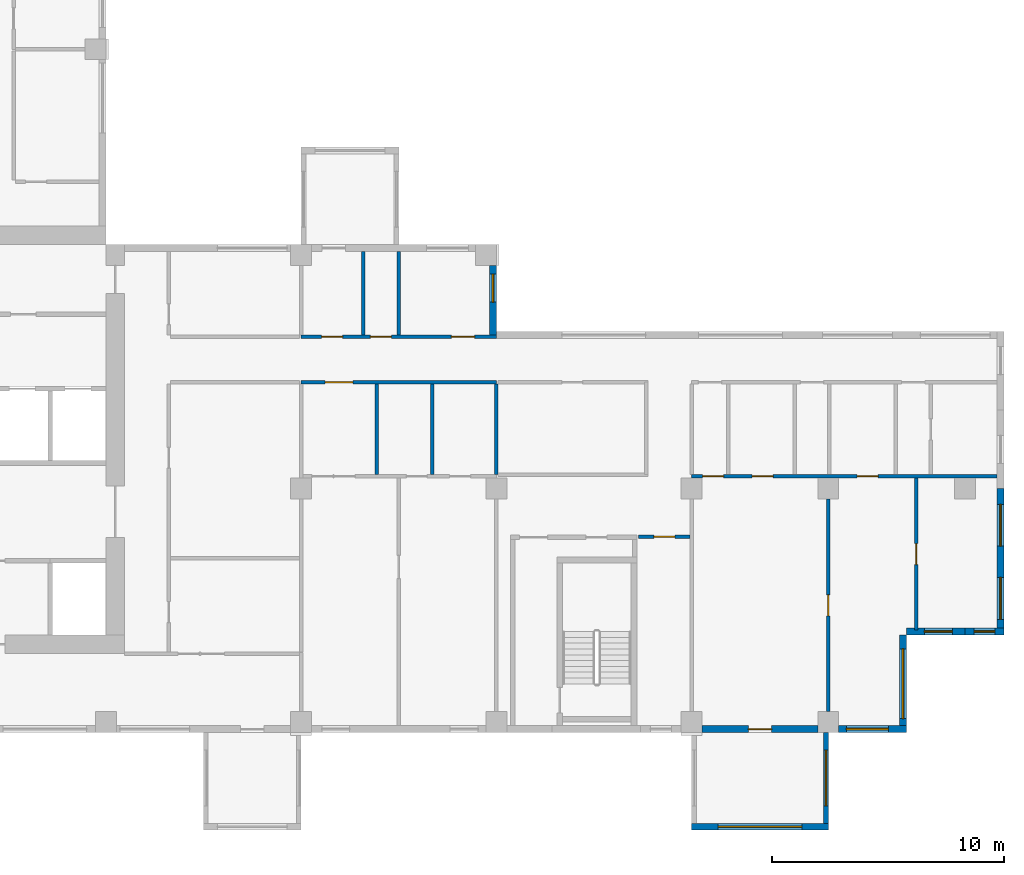
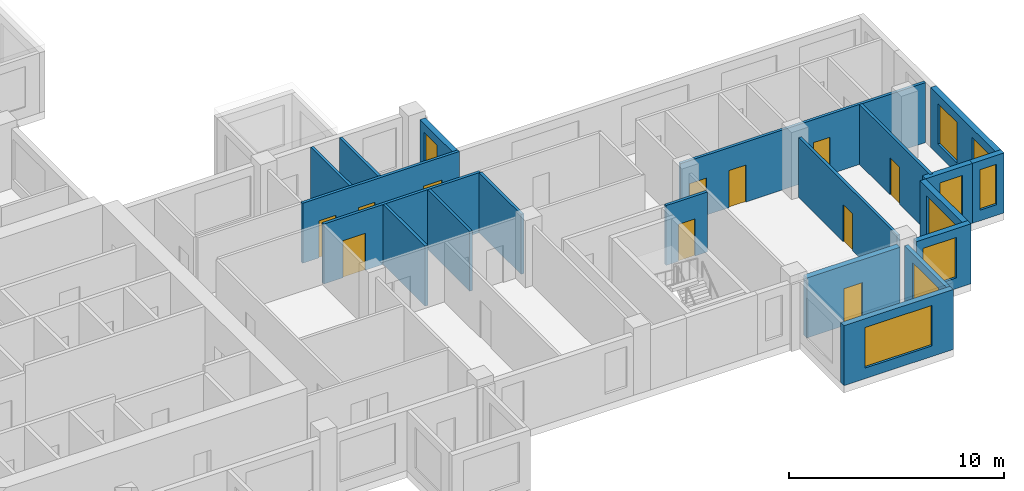
# One storey, part 5 of 12: 20 walls, 11 doors, 9 windows, 20 openings.
"""IFC4 building model written with IfcOpenShell, lengths in metres."""

from ifc_helpers import new_model, si_unit, direction, frame, frame_2d, origin, place, context, subcontext, project, spatial, rectangle, extrude, source, transform, mapped, material, layer, layer_set, type_object, element, fill, save


model = new_model("IFC4")

# Units and contexts
model_context = context("Model", 3, precision=1e-05, world=origin(), true_north=direction((0.0, 1.0)))
body_context = subcontext(model_context, "Body", "Model", "MODEL_VIEW")
ifc_project = project(units=[si_unit("LENGTHUNIT", "METRE"), si_unit("AREAUNIT", "SQUARE_METRE"), si_unit("VOLUMEUNIT", "CUBIC_METRE"), si_unit("PLANEANGLEUNIT", "RADIAN"), si_unit("MASSUNIT", "GRAM", prefix="KILO")], contexts=[model_context])

# Site, building, storey
site_placement = place(None, origin())
site = spatial("IfcSite", under=ifc_project, at=site_placement, CompositionType="ELEMENT")
building_placement = place(site_placement, origin())
building = spatial("IfcBuilding", under=site, at=building_placement, Name="Aurelian Terraces", CompositionType="ELEMENT")
storey_placement = place(building_placement, frame((0.0, 0.0, 181.6)))
storey = spatial("IfcBuildingStorey", under=building, at=storey_placement, Name="L39", CompositionType="ELEMENT", Elevation=181.6)

# Wall, opening, window
ifc_material_1 = material(Name="Concrete fc' 40 MPa", Category="concrete")
ifc_layer_1 = layer(ifc_material_1, 0.3)
ifc_layer_set_1 = layer_set([ifc_layer_1], Name="BOX BEARING WALL 300")
wall_type_1 = type_object("IfcWallType", Name="BOX BEARING WALL 300", PredefinedType="SOLIDWALL", material=ifc_layer_set_1)
wall_1_placement = place(storey_placement, frame((46.2, -4.05, 0.0), z_axis=(0.0, 0.0, 1.0), x_axis=(1.0, 0.0, 0.0)))
wall_1 = element("IfcWall", 1, at=wall_1_placement, inside=storey, type_object=wall_type_1, Name="Box wall L39 J51", PredefinedType="SOLIDWALL", context=body_context, shape_type="SweptSolid", body=[
    extrude(rectangle(XDim=5.88, YDim=0.3, at=frame_2d((2.94, 0.0))), origin(), (0.0, 0.0, 1.0), 3.4),
])
shared_shape_1 = source(origin(), body_context, "Body", "SweptSolid", [
    extrude(rectangle(XDim=3.6, YDim=2.3, at=frame_2d((1.8, 1.15))), frame((0.0, 0.16, 0.0), z_axis=(0.0, -1.0, 0.0), x_axis=(1.0, 0.0, 0.0)), (0.0, 0.0, 1.0), 0.32),
])
opening_1_placement = place(wall_1_placement, frame((1.14, 0.0, 0.6)))
opening_1 = element("IfcOpeningElement", 2, at=opening_1_placement, cuts=wall_1, Name="Opening W3623", PredefinedType="OPENING", context=body_context, shape_type="MappedRepresentation", body=[
    mapped(shared_shape_1, transform((0.0, 0.0, 0.0), scale=1.0)),
])
ifc_material_2 = material(Name="Clear glazing", Category="glass")
window_type_1 = type_object("IfcWindowType", Name="W-3600x2300", PartitioningType="SINGLE_PANEL", PredefinedType="WINDOW", material=ifc_material_2)
shared_shape_2 = source(origin(), body_context, "Body", "SweptSolid", [
    extrude(rectangle(XDim=3.6, YDim=2.3, at=frame_2d((1.8, 1.15))), frame((0.0, 0.03, 0.0), z_axis=(0.0, -1.0, 0.0), x_axis=(1.0, 0.0, 0.0)), (0.0, 0.0, 1.0), 0.06),
])
window_1_placement = place(opening_1_placement, origin())
window_1 = element("IfcWindow", 3, at=window_1_placement, inside=storey, type_object=window_type_1, Name="Window L39 J51-F1", OverallHeight=2.3, OverallWidth=3.6, PartitioningType="SINGLE_PANEL", PredefinedType="WINDOW", context=body_context, shape_type="MappedRepresentation", body=[
    mapped(shared_shape_2, transform((0.0, 0.0, 0.0), scale=1.0)),
])
fill(opening_1, window_1)

ifc_material_3 = material(Name="Terracotta rainscreen cladding", Category="masonry")
ifc_layer_2 = layer(ifc_material_3, 0.3)
ifc_layer_set_2 = layer_set([ifc_layer_2], Name="EW-300")
wall_type_2 = type_object("IfcWallType", Name="EW-300", PredefinedType="STANDARD", material=ifc_layer_set_2)
shared_shape_3 = source(origin(), body_context, "Body", "SweptSolid", [
    extrude(rectangle(XDim=2.91, YDim=0.3, at=frame_2d((1.455, 0.0))), origin(), (0.0, 0.0, 1.0), 3.4),
])
wall_2_placement = place(storey_placement, frame((52.53, 0.15, 0.0), z_axis=(0.0, 0.0, 1.0), x_axis=(1.0, 0.0, 0.0)))
wall_2 = element("IfcWall", 4, at=wall_2_placement, inside=storey, type_object=wall_type_2, Name="External wall L39 F01.7", PredefinedType="STANDARD", context=body_context, shape_type="MappedRepresentation", body=[
    mapped(shared_shape_3, transform((0.0, 0.0, 0.0), scale=1.0)),
])
shared_shape_4 = source(origin(), body_context, "Body", "SweptSolid", [
    extrude(rectangle(XDim=1.8, YDim=2.3, at=frame_2d((0.9, 1.15))), frame((0.0, 0.16, 0.0), z_axis=(0.0, -1.0, 0.0), x_axis=(1.0, 0.0, 0.0)), (0.0, 0.0, 1.0), 0.32),
])
opening_2_placement = place(wall_2_placement, frame((0.33, 0.0, 0.6)))
opening_2 = element("IfcOpeningElement", 5, at=opening_2_placement, cuts=wall_2, Name="Opening W1823", PredefinedType="OPENING", context=body_context, shape_type="MappedRepresentation", body=[
    mapped(shared_shape_4, transform((0.0, 0.0, 0.0), scale=1.0)),
])
window_type_2 = type_object("IfcWindowType", Name="W-1800x2300", PartitioningType="SINGLE_PANEL", PredefinedType="WINDOW", material=ifc_material_2)
shared_shape_5 = source(origin(), body_context, "Body", "SweptSolid", [
    extrude(rectangle(XDim=1.8, YDim=2.3, at=frame_2d((0.9, 1.15))), frame((0.0, 0.03, 0.0), z_axis=(0.0, -1.0, 0.0), x_axis=(1.0, 0.0, 0.0)), (0.0, 0.0, 1.0), 0.06),
])
window_2_placement = place(opening_2_placement, origin())
window_2 = element("IfcWindow", 6, at=window_2_placement, inside=storey, type_object=window_type_2, Name="Window L39 L39-F01-07-0", OverallHeight=2.3, OverallWidth=1.8, PartitioningType="SINGLE_PANEL", PredefinedType="WINDOW", context=body_context, shape_type="MappedRepresentation", body=[
    mapped(shared_shape_5, transform((0.0, 0.0, 0.0), scale=1.0)),
])
fill(opening_2, window_2)

shared_shape_6 = source(origin(), body_context, "Body", "SweptSolid", [
    extrude(rectangle(XDim=4.2, YDim=0.3, at=frame_2d((2.1, 0.0))), origin(), (0.0, 0.0, 1.0), 3.4),
])
wall_3_placement = place(storey_placement, frame((55.29, 0.0, 0.0), z_axis=(0.0, 0.0, 1.0), x_axis=(0.0, 1.0, 0.0)))
wall_3 = element("IfcWall", 7, at=wall_3_placement, inside=storey, type_object=wall_type_2, Name="External wall L39 F02.8", PredefinedType="STANDARD", context=body_context, shape_type="MappedRepresentation", body=[
    mapped(shared_shape_6, transform((0.0, 0.0, 0.0), scale=1.0)),
])
shared_shape_7 = source(origin(), body_context, "Body", "SweptSolid", [
    extrude(rectangle(XDim=3.0, YDim=2.3, at=frame_2d((1.5, 1.15))), frame((0.0, 0.16, 0.0), z_axis=(0.0, -1.0, 0.0), x_axis=(1.0, 0.0, 0.0)), (0.0, 0.0, 1.0), 0.32),
])
opening_3_placement = place(wall_3_placement, frame((0.6, 0.0, 0.6)))
opening_3 = element("IfcOpeningElement", 8, at=opening_3_placement, cuts=wall_3, Name="Opening W3023", PredefinedType="OPENING", context=body_context, shape_type="MappedRepresentation", body=[
    mapped(shared_shape_7, transform((0.0, 0.0, 0.0), scale=1.0)),
])
window_type_3 = type_object("IfcWindowType", Name="W-3000x2300", PartitioningType="SINGLE_PANEL", PredefinedType="WINDOW", material=ifc_material_2)
shared_shape_8 = source(origin(), body_context, "Body", "SweptSolid", [
    extrude(rectangle(XDim=3.0, YDim=2.3, at=frame_2d((1.5, 1.15))), frame((0.0, 0.03, 0.0), z_axis=(0.0, -1.0, 0.0), x_axis=(1.0, 0.0, 0.0)), (0.0, 0.0, 1.0), 0.06),
])
window_3_placement = place(opening_3_placement, origin())
window_3 = element("IfcWindow", 9, at=window_3_placement, inside=storey, type_object=window_type_3, Name="Window L39 L39-F02-08-0", OverallHeight=2.3, OverallWidth=3.0, PartitioningType="SINGLE_PANEL", PredefinedType="WINDOW", context=body_context, shape_type="MappedRepresentation", body=[
    mapped(shared_shape_8, transform((0.0, 0.0, 0.0), scale=1.0)),
])
fill(opening_3, window_3)

shared_shape_9 = source(origin(), body_context, "Body", "SweptSolid", [
    extrude(rectangle(XDim=2.52, YDim=0.3, at=frame_2d((1.26, 0.0))), origin(), (0.0, 0.0, 1.0), 3.4),
])
wall_4_placement = place(storey_placement, frame((55.44, 4.35, 0.0), z_axis=(0.0, 0.0, 1.0), x_axis=(1.0, 0.0, 0.0)))
wall_4 = element("IfcWall", 10, at=wall_4_placement, inside=storey, type_object=wall_type_2, Name="External wall L39 F03.9", PredefinedType="STANDARD", context=body_context, shape_type="MappedRepresentation", body=[
    mapped(shared_shape_9, transform((0.0, 0.0, 0.0), scale=1.0)),
])
shared_shape_10 = source(origin(), body_context, "Body", "SweptSolid", [
    extrude(rectangle(XDim=1.2, YDim=2.3, at=frame_2d((0.6, 1.15))), frame((0.0, 0.16, 0.0), z_axis=(0.0, -1.0, 0.0), x_axis=(1.0, 0.0, 0.0)), (0.0, 0.0, 1.0), 0.32),
])
opening_4_placement = place(wall_4_placement, frame((0.7775, 0.0, 0.6)))
opening_4 = element("IfcOpeningElement", 11, at=opening_4_placement, cuts=wall_4, Name="Opening W1223", PredefinedType="OPENING", context=body_context, shape_type="MappedRepresentation", body=[
    mapped(shared_shape_10, transform((0.0, 0.0, 0.0), scale=1.0)),
])
window_type_4 = type_object("IfcWindowType", Name="W-1200x2300", PartitioningType="SINGLE_PANEL", PredefinedType="WINDOW", material=ifc_material_2)
shared_shape_11 = source(origin(), body_context, "Body", "SweptSolid", [
    extrude(rectangle(XDim=1.2, YDim=2.3, at=frame_2d((0.6, 1.15))), frame((0.0, 0.03, 0.0), z_axis=(0.0, -1.0, 0.0), x_axis=(1.0, 0.0, 0.0)), (0.0, 0.0, 1.0), 0.06),
])
window_4_placement = place(opening_4_placement, origin())
window_4 = element("IfcWindow", 12, at=window_4_placement, inside=storey, type_object=window_type_4, Name="Window L39 L39-F03-09-P0", OverallHeight=2.3, OverallWidth=1.2, PartitioningType="SINGLE_PANEL", PredefinedType="WINDOW", context=body_context, shape_type="MappedRepresentation", body=[
    mapped(shared_shape_11, transform((0.0, 0.0, 0.0), scale=1.0)),
])
fill(opening_4, window_4)

shared_shape_12 = source(origin(), body_context, "Body", "SweptSolid", [
    extrude(rectangle(XDim=1.68, YDim=0.3, at=frame_2d((0.84, 0.0))), origin(), (0.0, 0.0, 1.0), 3.4),
])
wall_5_placement = place(storey_placement, frame((57.96, 4.35, 0.0), z_axis=(0.0, 0.0, 1.0), x_axis=(1.0, 0.0, 0.0)))
wall_5 = element("IfcWall", 13, at=wall_5_placement, inside=storey, type_object=wall_type_2, Name="External wall L39 F03.10", PredefinedType="STANDARD", context=body_context, shape_type="MappedRepresentation", body=[
    mapped(shared_shape_12, transform((0.0, 0.0, 0.0), scale=1.0)),
])
shared_shape_13 = source(origin(), body_context, "Body", "SweptSolid", [
    extrude(rectangle(XDim=0.9, YDim=2.3, at=frame_2d((0.45, 1.15))), frame((0.0, 0.16, 0.0), z_axis=(0.0, -1.0, 0.0), x_axis=(1.0, 0.0, 0.0)), (0.0, 0.0, 1.0), 0.32),
])
opening_5_placement = place(wall_5_placement, frame((0.39, 0.0, 0.6)))
opening_5 = element("IfcOpeningElement", 14, at=opening_5_placement, cuts=wall_5, Name="Opening W0923", PredefinedType="OPENING", context=body_context, shape_type="MappedRepresentation", body=[
    mapped(shared_shape_13, transform((0.0, 0.0, 0.0), scale=1.0)),
])
window_type_5 = type_object("IfcWindowType", Name="W-900x2300", PartitioningType="SINGLE_PANEL", PredefinedType="WINDOW", material=ifc_material_2)
shared_shape_14 = source(origin(), body_context, "Body", "SweptSolid", [
    extrude(rectangle(XDim=0.9, YDim=2.3, at=frame_2d((0.45, 1.15))), frame((0.0, 0.03, 0.0), z_axis=(0.0, -1.0, 0.0), x_axis=(1.0, 0.0, 0.0)), (0.0, 0.0, 1.0), 0.06),
])
window_5_placement = place(opening_5_placement, origin())
window_5 = element("IfcWindow", 15, at=window_5_placement, inside=storey, type_object=window_type_5, Name="Window L39 L39-F03-10-P0", OverallHeight=2.3, OverallWidth=0.9, PartitioningType="SINGLE_PANEL", PredefinedType="WINDOW", context=body_context, shape_type="MappedRepresentation", body=[
    mapped(shared_shape_14, transform((0.0, 0.0, 0.0), scale=1.0)),
])
fill(opening_5, window_5)

ifc_layer_3 = layer(ifc_material_1, 0.2)
ifc_layer_set_3 = layer_set([ifc_layer_3], Name="BOX BEARING WALL 200")
wall_type_3 = type_object("IfcWallType", Name="BOX BEARING WALL 200", PredefinedType="SOLIDWALL", material=ifc_layer_set_3)
shared_shape_15 = source(origin(), body_context, "Body", "SweptSolid", [
    extrude(rectangle(XDim=3.9, YDim=0.2, at=frame_2d((1.95, 0.0))), origin(), (0.0, 0.0, 1.0), 3.4),
])
wall_6_placement = place(storey_placement, frame((51.98, 0.0, 0.0), z_axis=(0.0, 0.0, 1.0), x_axis=(0.0, -1.0, 0.0)))
wall_6 = element("IfcWall", 16, at=wall_6_placement, inside=storey, type_object=wall_type_3, Name="Box return L39 J51.2", PredefinedType="SOLIDWALL", context=body_context, shape_type="MappedRepresentation", body=[
    mapped(shared_shape_15, transform((0.0, 0.0, 0.0), scale=1.0)),
])
shared_shape_16 = source(origin(), body_context, "Body", "SweptSolid", [
    extrude(rectangle(XDim=2.4, YDim=2.3, at=frame_2d((1.2, 1.15))), frame((0.0, 0.11, 0.0), z_axis=(0.0, -1.0, 0.0), x_axis=(1.0, 0.0, 0.0)), (0.0, 0.0, 1.0), 0.22),
])
opening_6_placement = place(wall_6_placement, frame((0.75, 0.0, 0.6)))
opening_6 = element("IfcOpeningElement", 17, at=opening_6_placement, cuts=wall_6, Name="Opening W2423", PredefinedType="OPENING", context=body_context, shape_type="MappedRepresentation", body=[
    mapped(shared_shape_16, transform((0.0, 0.0, 0.0), scale=1.0)),
])
window_type_6 = type_object("IfcWindowType", Name="W-2400x2300", PartitioningType="SINGLE_PANEL", PredefinedType="WINDOW", material=ifc_material_2)
shared_shape_17 = source(origin(), body_context, "Body", "SweptSolid", [
    extrude(rectangle(XDim=2.4, YDim=2.3, at=frame_2d((1.2, 1.15))), frame((0.0, 0.03, 0.0), z_axis=(0.0, -1.0, 0.0), x_axis=(1.0, 0.0, 0.0)), (0.0, 0.0, 1.0), 0.06),
])
window_6_placement = place(opening_6_placement, origin())
window_6 = element("IfcWindow", 18, at=window_6_placement, inside=storey, type_object=window_type_6, Name="Window L39 J51-S2", OverallHeight=2.3, OverallWidth=2.4, PartitioningType="SINGLE_PANEL", PredefinedType="WINDOW", context=body_context, shape_type="MappedRepresentation", body=[
    mapped(shared_shape_17, transform((0.0, 0.0, 0.0), scale=1.0)),
])
fill(opening_6, window_6)

# Wall, opening, door
shared_shape_18 = source(origin(), body_context, "Body", "SweptSolid", [
    extrude(rectangle(XDim=4.98, YDim=0.3, at=frame_2d((2.49, 0.0))), origin(), (0.0, 0.0, 1.0), 3.4),
])
wall_7_placement = place(storey_placement, frame((46.65, 0.15, 0.0), z_axis=(0.0, 0.0, 1.0), x_axis=(1.0, 0.0, 0.0)))
wall_7 = element("IfcWall", 19, at=wall_7_placement, inside=storey, type_object=wall_type_2, Name="External wall L39 F01.6", PredefinedType="STANDARD", context=body_context, shape_type="MappedRepresentation", body=[
    mapped(shared_shape_18, transform((0.0, 0.0, 0.0), scale=1.0)),
])
shared_shape_19 = source(origin(), body_context, "Body", "SweptSolid", [
    extrude(rectangle(XDim=1.0, YDim=2.1, at=frame_2d((0.5, 1.05))), frame((0.0, 0.16, 0.0), z_axis=(0.0, -1.0, 0.0), x_axis=(1.0, 0.0, 0.0)), (0.0, 0.0, 1.0), 0.32),
])
opening_7_placement = place(wall_7_placement, frame((1.99, 0.0, 0.0)))
opening_7 = element("IfcOpeningElement", 20, at=opening_7_placement, cuts=wall_7, Name="Opening 839001", PredefinedType="OPENING", context=body_context, shape_type="MappedRepresentation", body=[
    mapped(shared_shape_19, transform((0.0, 0.0, 0.0), scale=1.0)),
])
ifc_material_4 = material(Name="Timber door leaf", Category="wood")
door_type_1 = type_object("IfcDoorType", Name="Room door 1000x2100 left", OperationType="SINGLE_SWING_LEFT", PredefinedType="DOOR", material=ifc_material_4)
shared_shape_20 = source(origin(), body_context, "Body", "SweptSolid", [
    extrude(rectangle(XDim=1.0, YDim=2.1, at=frame_2d((0.5, 1.05))), frame((0.0, 0.025, 0.0), z_axis=(0.0, -1.0, 0.0), x_axis=(1.0, 0.0, 0.0)), (0.0, 0.0, 1.0), 0.05),
])
door_1_placement = place(opening_7_placement, origin())
door_1 = element("IfcDoor", 21, at=door_1_placement, inside=storey, type_object=door_type_1, Name="Door 839001", OperationType="SINGLE_SWING_LEFT", OverallHeight=2.1, OverallWidth=1.0, PredefinedType="DOOR", context=body_context, shape_type="MappedRepresentation", body=[
    mapped(shared_shape_20, transform((0.0, 0.0, 0.0), scale=1.0)),
])
fill(opening_7, door_1)

# Wall, openings, windows
shared_shape_21 = source(origin(), body_context, "Body", "SweptSolid", [
    extrude(rectangle(XDim=6.3, YDim=0.3, at=frame_2d((3.15, 0.0))), origin(), (0.0, 0.0, 1.0), 3.4),
])
wall_8_placement = place(storey_placement, frame((59.49, 4.2, 0.0), z_axis=(0.0, 0.0, 1.0), x_axis=(0.0, 1.0, 0.0)))
wall_8 = element("IfcWall", 22, at=wall_8_placement, inside=storey, type_object=wall_type_2, Name="External wall L39 F04.11", PredefinedType="STANDARD", context=body_context, shape_type="MappedRepresentation", body=[
    mapped(shared_shape_21, transform((0.0, 0.0, 0.0), scale=1.0)),
])
opening_8_placement = place(wall_8_placement, frame((0.675, 0.0, 0.6)))
opening_8 = element("IfcOpeningElement", 23, at=opening_8_placement, cuts=wall_8, Name="Opening W1823", PredefinedType="OPENING", context=body_context, shape_type="MappedRepresentation", body=[
    mapped(shared_shape_4, transform((0.0, 0.0, 0.0), scale=1.0)),
])
opening_9_placement = place(wall_8_placement, frame((3.825, 0.0, 0.6)))
opening_9 = element("IfcOpeningElement", 24, at=opening_9_placement, cuts=wall_8, Name="Opening W1823", PredefinedType="OPENING", context=body_context, shape_type="MappedRepresentation", body=[
    mapped(shared_shape_4, transform((0.0, 0.0, 0.0), scale=1.0)),
])
window_7_placement = place(opening_8_placement, origin())
window_7 = element("IfcWindow", 25, at=window_7_placement, inside=storey, type_object=window_type_2, Name="Window L39 L39-F04-11-0", OverallHeight=2.3, OverallWidth=1.8, PartitioningType="SINGLE_PANEL", PredefinedType="WINDOW", context=body_context, shape_type="MappedRepresentation", body=[
    mapped(shared_shape_5, transform((0.0, 0.0, 0.0), scale=1.0)),
])
fill(opening_8, window_7)
window_8_placement = place(opening_9_placement, origin())
window_8 = element("IfcWindow", 26, at=window_8_placement, inside=storey, type_object=window_type_2, Name="Window L39 L39-F04-11-1", OverallHeight=2.3, OverallWidth=1.8, PartitioningType="SINGLE_PANEL", PredefinedType="WINDOW", context=body_context, shape_type="MappedRepresentation", body=[
    mapped(shared_shape_5, transform((0.0, 0.0, 0.0), scale=1.0)),
])
fill(opening_9, window_8)

# Wall, opening, window
shared_shape_22 = source(origin(), body_context, "Body", "SweptSolid", [
    extrude(rectangle(XDim=3.0, YDim=0.3, at=frame_2d((1.5, 0.0))), origin(), (0.0, 0.0, 1.0), 3.4),
])
wall_9_placement = place(storey_placement, frame((37.65, 17.1, 0.0), z_axis=(0.0, 0.0, 1.0), x_axis=(0.0, 1.0, 0.0)))
wall_9 = element("IfcWall", 27, at=wall_9_placement, inside=storey, type_object=wall_type_2, Name="External wall L39 F06.15", PredefinedType="STANDARD", context=body_context, shape_type="MappedRepresentation", body=[
    mapped(shared_shape_22, transform((0.0, 0.0, 0.0), scale=1.0)),
])
opening_10_placement = place(wall_9_placement, frame((1.425, 0.0, 0.6)))
opening_10 = element("IfcOpeningElement", 28, at=opening_10_placement, cuts=wall_9, Name="Opening W1223", PredefinedType="OPENING", context=body_context, shape_type="MappedRepresentation", body=[
    mapped(shared_shape_10, transform((0.0, 0.0, 0.0), scale=1.0)),
])
window_9_placement = place(opening_10_placement, origin())
window_9 = element("IfcWindow", 29, at=window_9_placement, inside=storey, type_object=window_type_4, Name="Window L39 L39-F06-15-0", OverallHeight=2.3, OverallWidth=1.2, PartitioningType="SINGLE_PANEL", PredefinedType="WINDOW", context=body_context, shape_type="MappedRepresentation", body=[
    mapped(shared_shape_11, transform((0.0, 0.0, 0.0), scale=1.0)),
])
fill(opening_10, window_9)

# Walls
ifc_material_5 = material(Name="Gypsum board on steel studs", Category="steel")
ifc_layer_4 = layer(ifc_material_5, 0.15)
ifc_layer_set_4 = layer_set([ifc_layer_4], Name="Partition 150")
wall_type_4 = type_object("IfcWallType", Name="Partition 150", PredefinedType="PARTITIONING", material=ifc_layer_set_4)
shared_shape_23 = source(origin(), body_context, "Body", "SweptSolid", [
    extrude(rectangle(XDim=3.9, YDim=0.15, at=frame_2d((1.95, 0.0))), origin(), (0.0, 0.0, 1.0), 3.4),
])
for number, where, z_axis, x_axis, name in (
    (30, (32.6603, 11.1, 0.0), (0.0, 0.0, 1.0), (0.0, 1.0, 0.0), "Partition"),
    (31, (35.0493, 11.1, 0.0), (0.0, 0.0, 1.0), (0.0, 1.0, 0.0), "Partition"),
):
    element("IfcWall", number, at=place(storey_placement, frame(where, z_axis=z_axis, x_axis=x_axis)), inside=storey, type_object=wall_type_4, Name=name, PredefinedType="PARTITIONING", context=body_context, shape_type="MappedRepresentation", body=[
        mapped(shared_shape_23, transform((0.0, 0.0, 0.0), scale=1.0)),
    ])
ifc_layer_5 = layer(ifc_material_5, 0.15)
ifc_layer_set_5 = layer_set([ifc_layer_5], Name="Fire partition 150")
wall_type_5 = type_object("IfcWallType", Name="Fire partition 150", PredefinedType="PARTITIONING", material=ifc_layer_set_5)
wall_10_placement = place(storey_placement, frame((37.8, 11.1, 0.0), z_axis=(0.0, 0.0, 1.0), x_axis=(0.0, 1.0, 0.0)))
element("IfcWall", 32, at=wall_10_placement, inside=storey, type_object=wall_type_5, Name="Party wall", PredefinedType="PARTITIONING", context=body_context, shape_type="MappedRepresentation", body=[
    mapped(shared_shape_23, transform((0.0, 0.0, 0.0), scale=1.0)),
])

# Wall, opening, door
shared_shape_24 = source(origin(), body_context, "Body", "SweptSolid", [
    extrude(rectangle(XDim=9.152, YDim=0.15, at=frame_2d((4.576, 0.0))), origin(), (0.0, 0.0, 1.0), 3.4),
])
wall_11_placement = place(storey_placement, frame((52.08, 0.899, 0.0), z_axis=(0.0, 0.0, 1.0), x_axis=(0.0, 1.0, 0.0)))
wall_11 = element("IfcWall", 33, at=wall_11_placement, inside=storey, type_object=wall_type_4, Name="Partition", PredefinedType="PARTITIONING", context=body_context, shape_type="MappedRepresentation", body=[
    mapped(shared_shape_24, transform((0.0, 0.0, 0.0), scale=1.0)),
])
shared_shape_25 = source(origin(), body_context, "Body", "SweptSolid", [
    extrude(rectangle(XDim=0.9, YDim=2.1, at=frame_2d((0.45, 1.05))), frame((0.0, 0.085, 0.0), z_axis=(0.0, -1.0, 0.0), x_axis=(1.0, 0.0, 0.0)), (0.0, 0.0, 1.0), 0.17),
])
opening_11_placement = place(wall_11_placement, frame((4.126, 0.0, 0.0)))
opening_11 = element("IfcOpeningElement", 34, at=opening_11_placement, cuts=wall_11, Name="Opening 739046", PredefinedType="OPENING", context=body_context, shape_type="MappedRepresentation", body=[
    mapped(shared_shape_25, transform((0.0, 0.0, 0.0), scale=1.0)),
])
ifc_material_6 = material(Name="Steel door leaf", Category="steel")
door_type_2 = type_object("IfcDoorType", Name="Entrance fire door 900x2100 left", OperationType="SINGLE_SWING_LEFT", PredefinedType="DOOR", material=ifc_material_6)
shared_shape_26 = source(origin(), body_context, "Body", "SweptSolid", [
    extrude(rectangle(XDim=0.9, YDim=2.1, at=frame_2d((0.45, 1.05))), frame((0.0, 0.025, 0.0), z_axis=(0.0, -1.0, 0.0), x_axis=(1.0, 0.0, 0.0)), (0.0, 0.0, 1.0), 0.05),
])
door_2_placement = place(opening_11_placement, origin())
door_2 = element("IfcDoor", 35, at=door_2_placement, inside=storey, type_object=door_type_2, Name="Door 739046", OperationType="SINGLE_SWING_LEFT", OverallHeight=2.1, OverallWidth=0.9, PredefinedType="DOOR", context=body_context, shape_type="MappedRepresentation", body=[
    mapped(shared_shape_26, transform((0.0, 0.0, 0.0), scale=1.0)),
])
fill(opening_11, door_2)

# Walls
shared_shape_27 = source(origin(), body_context, "Body", "SweptSolid", [
    extrude(rectangle(XDim=3.6, YDim=0.15, at=frame_2d((1.8, 0.0))), origin(), (0.0, 0.0, 1.0), 3.4),
])
wall_12_placement = place(storey_placement, frame((32.067, 20.7, 0.0), z_axis=(0.0, 0.0, 1.0), x_axis=(0.0, -1.0, 0.0)))
element("IfcWall", 36, at=wall_12_placement, inside=storey, type_object=wall_type_4, Name="Partition", PredefinedType="PARTITIONING", context=body_context, shape_type="MappedRepresentation", body=[
    mapped(shared_shape_27, transform((0.0, 0.0, 0.0), scale=1.0)),
])
wall_13_placement = place(storey_placement, frame((33.6, 17.1, 0.0), z_axis=(0.0, 0.0, 1.0), x_axis=(0.0, 1.0, 0.0)))
element("IfcWall", 37, at=wall_13_placement, inside=storey, type_object=wall_type_5, Name="Party wall", PredefinedType="PARTITIONING", context=body_context, shape_type="MappedRepresentation", body=[
    mapped(shared_shape_27, transform((0.0, 0.0, 0.0), scale=1.0)),
])

# Wall, opening, door
shared_shape_28 = source(origin(), body_context, "Body", "SweptSolid", [
    extrude(rectangle(XDim=8.4, YDim=0.15, at=frame_2d((4.2, 0.0))), origin(), (0.0, 0.0, 1.0), 3.4),
])
wall_14_placement = place(storey_placement, frame((37.8, 15.075, 0.0), z_axis=(0.0, 0.0, 1.0), x_axis=(-1.0, 0.0, 0.0)))
wall_14 = element("IfcWall", 38, at=wall_14_placement, inside=storey, type_object=wall_type_5, Name="Corridor wall", PredefinedType="PARTITIONING", context=body_context, shape_type="MappedRepresentation", body=[
    mapped(shared_shape_28, transform((0.0, 0.0, 0.0), scale=1.0)),
])
shared_shape_29 = source(origin(), body_context, "Body", "SweptSolid", [
    extrude(rectangle(XDim=1.2, YDim=2.1, at=frame_2d((0.6, 1.05))), frame((0.0, 0.085, 0.0), z_axis=(0.0, -1.0, 0.0), x_axis=(1.0, 0.0, 0.0)), (0.0, 0.0, 1.0), 0.17),
])
opening_12_placement = place(wall_14_placement, frame((6.1698, 0.0, 0.0)))
opening_12 = element("IfcOpeningElement", 39, at=opening_12_placement, cuts=wall_14, Name="Opening 739007", PredefinedType="OPENING", context=body_context, shape_type="MappedRepresentation", body=[
    mapped(shared_shape_29, transform((0.0, 0.0, 0.0), scale=1.0)),
])
door_type_3 = type_object("IfcDoorType", Name="Entrance fire door 1200x2100 right", OperationType="SINGLE_SWING_RIGHT", PredefinedType="DOOR", material=ifc_material_6)
shared_shape_30 = source(origin(), body_context, "Body", "SweptSolid", [
    extrude(rectangle(XDim=1.2, YDim=2.1, at=frame_2d((0.6, 1.05))), frame((0.0, 0.025, 0.0), z_axis=(0.0, -1.0, 0.0), x_axis=(1.0, 0.0, 0.0)), (0.0, 0.0, 1.0), 0.05),
])
door_3_placement = place(opening_12_placement, origin())
door_3 = element("IfcDoor", 40, at=door_3_placement, inside=storey, type_object=door_type_3, Name="Door 739007", OperationType="SINGLE_SWING_RIGHT", OverallHeight=2.1, OverallWidth=1.2, PredefinedType="DOOR", context=body_context, shape_type="MappedRepresentation", body=[
    mapped(shared_shape_30, transform((0.0, 0.0, 0.0), scale=1.0)),
])
fill(opening_12, door_3)

# Wall, openings, doors
wall_15_placement = place(storey_placement, frame((29.4, 17.025, 0.0), z_axis=(0.0, 0.0, 1.0), x_axis=(1.0, 0.0, 0.0)))
wall_15 = element("IfcWall", 41, at=wall_15_placement, inside=storey, type_object=wall_type_5, Name="Corridor wall", PredefinedType="PARTITIONING", context=body_context, shape_type="MappedRepresentation", body=[
    mapped(shared_shape_28, transform((0.0, 0.0, 0.0), scale=1.0)),
])
opening_13_placement = place(wall_15_placement, frame((0.8835, 0.0, 0.0)))
opening_13 = element("IfcOpeningElement", 42, at=opening_13_placement, cuts=wall_15, Name="Opening 739019", PredefinedType="OPENING", context=body_context, shape_type="MappedRepresentation", body=[
    mapped(shared_shape_25, transform((0.0, 0.0, 0.0), scale=1.0)),
])
opening_14_placement = place(wall_15_placement, frame((2.9835, 0.0, 0.0)))
opening_14 = element("IfcOpeningElement", 43, at=opening_14_placement, cuts=wall_15, Name="Opening 739020", PredefinedType="OPENING", context=body_context, shape_type="MappedRepresentation", body=[
    mapped(shared_shape_25, transform((0.0, 0.0, 0.0), scale=1.0)),
])
shared_shape_31 = source(origin(), body_context, "Body", "SweptSolid", [
    extrude(rectangle(XDim=1.0, YDim=2.1, at=frame_2d((0.5, 1.05))), frame((0.0, 0.085, 0.0), z_axis=(0.0, -1.0, 0.0), x_axis=(1.0, 0.0, 0.0)), (0.0, 0.0, 1.0), 0.17),
])
opening_15_placement = place(wall_15_placement, frame((6.4625, 0.0, 0.0)))
opening_15 = element("IfcOpeningElement", 44, at=opening_15_placement, cuts=wall_15, Name="Opening 739021", PredefinedType="OPENING", context=body_context, shape_type="MappedRepresentation", body=[
    mapped(shared_shape_31, transform((0.0, 0.0, 0.0), scale=1.0)),
])
door_type_4 = type_object("IfcDoorType", Name="Entrance fire door 1000x2100 right", OperationType="SINGLE_SWING_RIGHT", PredefinedType="DOOR", material=ifc_material_6)
door_4_placement = place(opening_15_placement, origin())
door_4 = element("IfcDoor", 45, at=door_4_placement, inside=storey, type_object=door_type_4, Name="Door 739021", OperationType="SINGLE_SWING_RIGHT", OverallHeight=2.1, OverallWidth=1.0, PredefinedType="DOOR", context=body_context, shape_type="MappedRepresentation", body=[
    mapped(shared_shape_20, transform((0.0, 0.0, 0.0), scale=1.0)),
])
fill(opening_15, door_4)
door_type_5 = type_object("IfcDoorType", Name="Entrance fire door 900x2100 right", OperationType="SINGLE_SWING_RIGHT", PredefinedType="DOOR", material=ifc_material_6)
door_5_placement = place(opening_13_placement, origin())
door_5 = element("IfcDoor", 46, at=door_5_placement, inside=storey, type_object=door_type_5, Name="Door 739019", OperationType="SINGLE_SWING_RIGHT", OverallHeight=2.1, OverallWidth=0.9, PredefinedType="DOOR", context=body_context, shape_type="MappedRepresentation", body=[
    mapped(shared_shape_26, transform((0.0, 0.0, 0.0), scale=1.0)),
])
fill(opening_13, door_5)
door_6_placement = place(opening_14_placement, origin())
door_6 = element("IfcDoor", 47, at=door_6_placement, inside=storey, type_object=door_type_2, Name="Door 739020", OperationType="SINGLE_SWING_LEFT", OverallHeight=2.1, OverallWidth=0.9, PredefinedType="DOOR", context=body_context, shape_type="MappedRepresentation", body=[
    mapped(shared_shape_26, transform((0.0, 0.0, 0.0), scale=1.0)),
])
fill(opening_14, door_6)

shared_shape_32 = source(origin(), body_context, "Body", "SweptSolid", [
    extrude(rectangle(XDim=13.14, YDim=0.15, at=frame_2d((6.57, 0.0))), origin(), (0.0, 0.0, 1.0), 3.4),
])
wall_16_placement = place(storey_placement, frame((59.34, 11.025, 0.0), z_axis=(0.0, 0.0, 1.0), x_axis=(-1.0, 0.0, 0.0)))
wall_16 = element("IfcWall", 48, at=wall_16_placement, inside=storey, type_object=wall_type_4, Name="Partition", PredefinedType="PARTITIONING", context=body_context, shape_type="MappedRepresentation", body=[
    mapped(shared_shape_32, transform((0.0, 0.0, 0.0), scale=1.0)),
])
opening_16_placement = place(wall_16_placement, frame((11.765, 0.0, 0.0)))
opening_16 = element("IfcOpeningElement", 49, at=opening_16_placement, cuts=wall_16, Name="Opening 739014", PredefinedType="OPENING", context=body_context, shape_type="MappedRepresentation", body=[
    mapped(shared_shape_25, transform((0.0, 0.0, 0.0), scale=1.0)),
])
opening_17_placement = place(wall_16_placement, frame((9.6375, 0.0, 0.0)))
opening_17 = element("IfcOpeningElement", 50, at=opening_17_placement, cuts=wall_16, Name="Opening 739015", PredefinedType="OPENING", context=body_context, shape_type="MappedRepresentation", body=[
    mapped(shared_shape_25, transform((0.0, 0.0, 0.0), scale=1.0)),
])
opening_18_placement = place(wall_16_placement, frame((5.12, 0.0, 0.0)))
opening_18 = element("IfcOpeningElement", 51, at=opening_18_placement, cuts=wall_16, Name="Opening 739017", PredefinedType="OPENING", context=body_context, shape_type="MappedRepresentation", body=[
    mapped(shared_shape_25, transform((0.0, 0.0, 0.0), scale=1.0)),
])
door_type_6 = type_object("IfcDoorType", Name="Room door 900x2100 left", OperationType="SINGLE_SWING_LEFT", PredefinedType="DOOR", material=ifc_material_4)
door_7_placement = place(opening_16_placement, origin())
door_7 = element("IfcDoor", 52, at=door_7_placement, inside=storey, type_object=door_type_6, Name="Door 739014", OperationType="SINGLE_SWING_LEFT", OverallHeight=2.1, OverallWidth=0.9, PredefinedType="DOOR", context=body_context, shape_type="MappedRepresentation", body=[
    mapped(shared_shape_26, transform((0.0, 0.0, 0.0), scale=1.0)),
])
fill(opening_16, door_7)
door_type_7 = type_object("IfcDoorType", Name="Room door 900x2100 right", OperationType="SINGLE_SWING_RIGHT", PredefinedType="DOOR", material=ifc_material_4)
door_8_placement = place(opening_17_placement, origin())
door_8 = element("IfcDoor", 53, at=door_8_placement, inside=storey, type_object=door_type_7, Name="Door 739015", OperationType="SINGLE_SWING_RIGHT", OverallHeight=2.1, OverallWidth=0.9, PredefinedType="DOOR", context=body_context, shape_type="MappedRepresentation", body=[
    mapped(shared_shape_26, transform((0.0, 0.0, 0.0), scale=1.0)),
])
fill(opening_17, door_8)
door_9_placement = place(opening_18_placement, origin())
door_9 = element("IfcDoor", 54, at=door_9_placement, inside=storey, type_object=door_type_6, Name="Door 739017", OperationType="SINGLE_SWING_LEFT", OverallHeight=2.1, OverallWidth=0.9, PredefinedType="DOOR", context=body_context, shape_type="MappedRepresentation", body=[
    mapped(shared_shape_26, transform((0.0, 0.0, 0.0), scale=1.0)),
])
fill(opening_18, door_9)

# Wall, opening, door
shared_shape_33 = source(origin(), body_context, "Body", "SweptSolid", [
    extrude(rectangle(XDim=2.2, YDim=0.15, at=frame_2d((1.1, 0.0))), origin(), (0.0, 0.0, 1.0), 3.4),
])
wall_17_placement = place(storey_placement, frame((46.125, 8.425, 0.0), z_axis=(0.0, 0.0, 1.0), x_axis=(-1.0, 0.0, 0.0)))
wall_17 = element("IfcWall", 55, at=wall_17_placement, inside=storey, type_object=wall_type_4, Name="Partition", PredefinedType="PARTITIONING", context=body_context, shape_type="MappedRepresentation", body=[
    mapped(shared_shape_33, transform((0.0, 0.0, 0.0), scale=1.0)),
])
opening_19_placement = place(wall_17_placement, frame((0.65, 0.0, 0.0)))
opening_19 = element("IfcOpeningElement", 56, at=opening_19_placement, cuts=wall_17, Name="Opening 739006", PredefinedType="OPENING", context=body_context, shape_type="MappedRepresentation", body=[
    mapped(shared_shape_25, transform((0.0, 0.0, 0.0), scale=1.0)),
])
door_10_placement = place(opening_19_placement, origin())
door_10 = element("IfcDoor", 57, at=door_10_placement, inside=storey, type_object=door_type_6, Name="Door 739006", OperationType="SINGLE_SWING_LEFT", OverallHeight=2.1, OverallWidth=0.9, PredefinedType="DOOR", context=body_context, shape_type="MappedRepresentation", body=[
    mapped(shared_shape_26, transform((0.0, 0.0, 0.0), scale=1.0)),
])
fill(opening_19, door_10)

shared_shape_34 = source(origin(), body_context, "Body", "SweptSolid", [
    extrude(rectangle(XDim=6.545, YDim=0.15, at=frame_2d((3.2725, 0.0))), origin(), (0.0, 0.0, 1.0), 3.4),
])
wall_18_placement = place(storey_placement, frame((55.86, 4.405, 0.0), z_axis=(0.0, 0.0, 1.0), x_axis=(0.0, 1.0, 0.0)))
wall_18 = element("IfcWall", 58, at=wall_18_placement, inside=storey, type_object=wall_type_4, Name="Partition", PredefinedType="PARTITIONING", context=body_context, shape_type="MappedRepresentation", body=[
    mapped(shared_shape_34, transform((0.0, 0.0, 0.0), scale=1.0)),
])
opening_20_placement = place(wall_18_placement, frame((2.8225, 0.0, 0.0)))
opening_20 = element("IfcOpeningElement", 59, at=opening_20_placement, cuts=wall_18, Name="Opening 739043", PredefinedType="OPENING", context=body_context, shape_type="MappedRepresentation", body=[
    mapped(shared_shape_25, transform((0.0, 0.0, 0.0), scale=1.0)),
])
door_11_placement = place(opening_20_placement, origin())
door_11 = element("IfcDoor", 60, at=door_11_placement, inside=storey, type_object=door_type_6, Name="Door 739043", OperationType="SINGLE_SWING_LEFT", OverallHeight=2.1, OverallWidth=0.9, PredefinedType="DOOR", context=body_context, shape_type="MappedRepresentation", body=[
    mapped(shared_shape_26, transform((0.0, 0.0, 0.0), scale=1.0)),
])
fill(opening_20, door_11)

save(model, "model.ifc")
